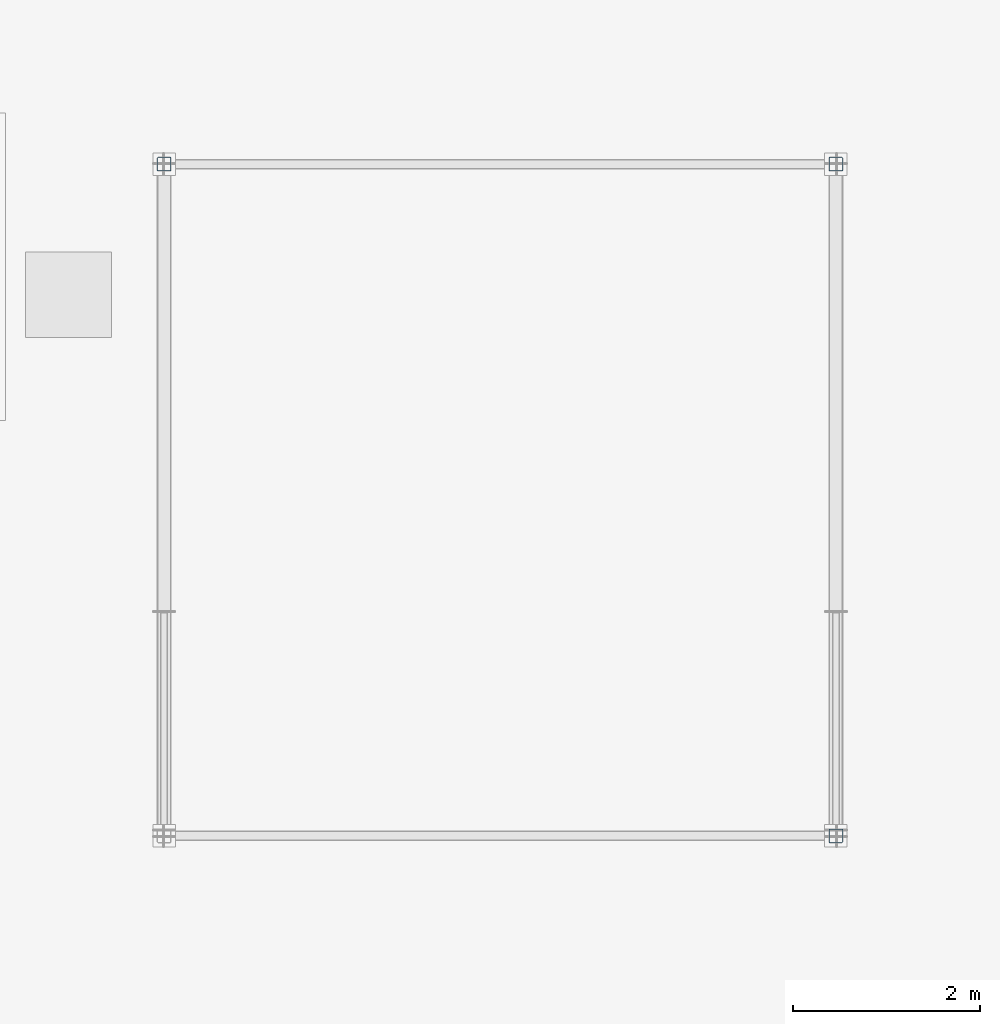
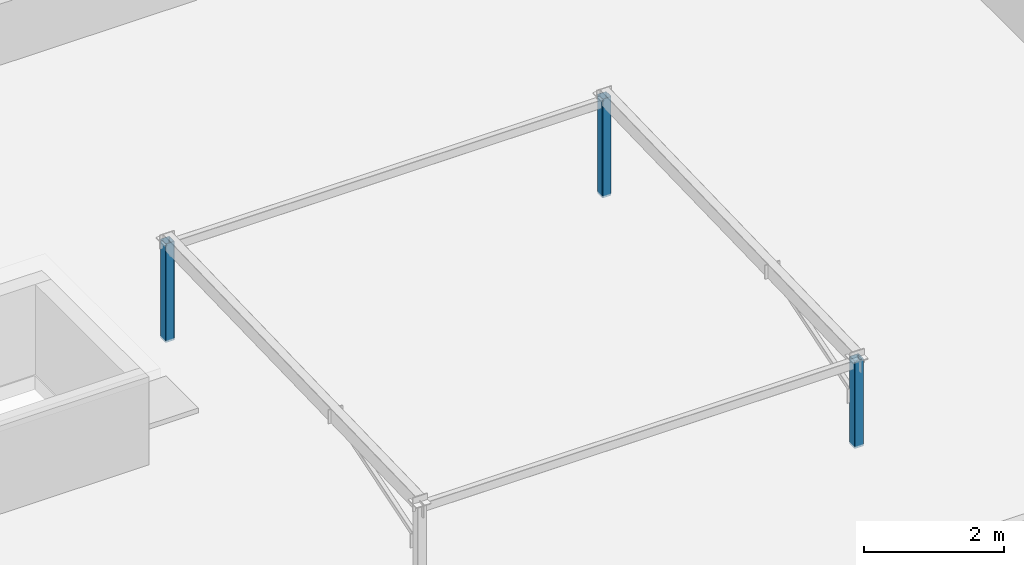
# One storey, part 2 of 16: 3 columns.
"""IFC4 building model written with IfcOpenShell, lengths in metres."""

from ifc_helpers import new_model, si_unit, direction, frame, origin, origin_2d, place, context, subcontext, project, spatial, hollow_rectangle, extrude, material, material_profile, profile_set, type_object, element, save


model = new_model("IFC4")

# Units and contexts
model_context = context("Model", 3, precision=1e-05, world=origin(), true_north=direction((0.0, 1.0)))
body_context = subcontext(model_context, "Body", "Model", "MODEL_VIEW")
ifc_project = project(units=[si_unit("LENGTHUNIT", "METRE"), si_unit("AREAUNIT", "SQUARE_METRE"), si_unit("VOLUMEUNIT", "CUBIC_METRE"), si_unit("PLANEANGLEUNIT", "RADIAN"), si_unit("MASSUNIT", "GRAM", prefix="KILO")], contexts=[model_context])

# Site, building, storey
site_placement = place(None, origin())
site = spatial("IfcSite", under=ifc_project, at=site_placement, CompositionType="ELEMENT")
building_placement = place(site_placement, origin())
building = spatial("IfcBuilding", under=site, at=building_placement, Name="Ochrevale Crest", CompositionType="ELEMENT")
storey_placement = place(building_placement, frame((0.0, 0.0, 46.5)))
storey = spatial("IfcBuildingStorey", under=building, at=storey_placement, Name="L14", CompositionType="ELEMENT", Elevation=46.5)

# Columns
ifc_material = material(Name="Steel S355", Category="steel")
ifc_material_profile = material_profile(ifc_material, hollow_rectangle(XDim=0.14990234375, YDim=0.14990234375, WallThickness=0.006103515625, InnerFilletRadius=0.006103515625, OuterFilletRadius=0.011962890625, at=origin_2d()), Name="150x150x6.0SHS")
ifc_profile_set = profile_set([ifc_material_profile], Name="Steel S355")
column_type = type_object("IfcColumnType", Name="COL-SHS150", PredefinedType="COLUMN", material=ifc_profile_set)
column_1_placement = place(storey_placement, frame((151.199951171875, 28.800048828125, 0.0), z_axis=(0.0, 0.0, 1.0), x_axis=(1.0, 0.0, 0.0)))
element("IfcColumn", 1, at=column_1_placement, inside=storey, type_object=column_type, Name="Block C solar-frame support post", PredefinedType="COLUMN", context=body_context, shape_type="SweptSolid", body=[
    extrude(hollow_rectangle(XDim=0.14990234375, YDim=0.14990234375, WallThickness=0.006103515625, InnerFilletRadius=0.006103515625, OuterFilletRadius=0.011962890625, at=origin_2d()), origin(), (0.0, 0.0, 1.0), 1.719970703125),
])
column_2_placement = place(storey_placement, frame((158.39990234375, 21.60009765625, 0.0), z_axis=(0.0, 0.0, 1.0), x_axis=(1.0, 0.0, 0.0)))
element("IfcColumn", 2, at=column_2_placement, inside=storey, type_object=column_type, Name="Block C solar-frame support post", PredefinedType="COLUMN", context=body_context, shape_type="SweptSolid", body=[
    extrude(hollow_rectangle(XDim=0.14990234375, YDim=0.14990234375, WallThickness=0.006103515625, InnerFilletRadius=0.006103515625, OuterFilletRadius=0.011962890625, at=origin_2d()), origin(), (0.0, 0.0, 1.0), 1.52001953125),
])
column_3_placement = place(storey_placement, frame((158.39990234375, 28.800048828125, 0.0), z_axis=(0.0, 0.0, 1.0), x_axis=(1.0, 0.0, 0.0)))
element("IfcColumn", 3, at=column_3_placement, inside=storey, type_object=column_type, Name="Block C solar-frame support post", PredefinedType="COLUMN", context=body_context, shape_type="SweptSolid", body=[
    extrude(hollow_rectangle(XDim=0.14990234375, YDim=0.14990234375, WallThickness=0.006103515625, InnerFilletRadius=0.006103515625, OuterFilletRadius=0.011962890625, at=origin_2d()), origin(), (0.0, 0.0, 1.0), 1.719970703125),
])

save(model, "model.ifc")
